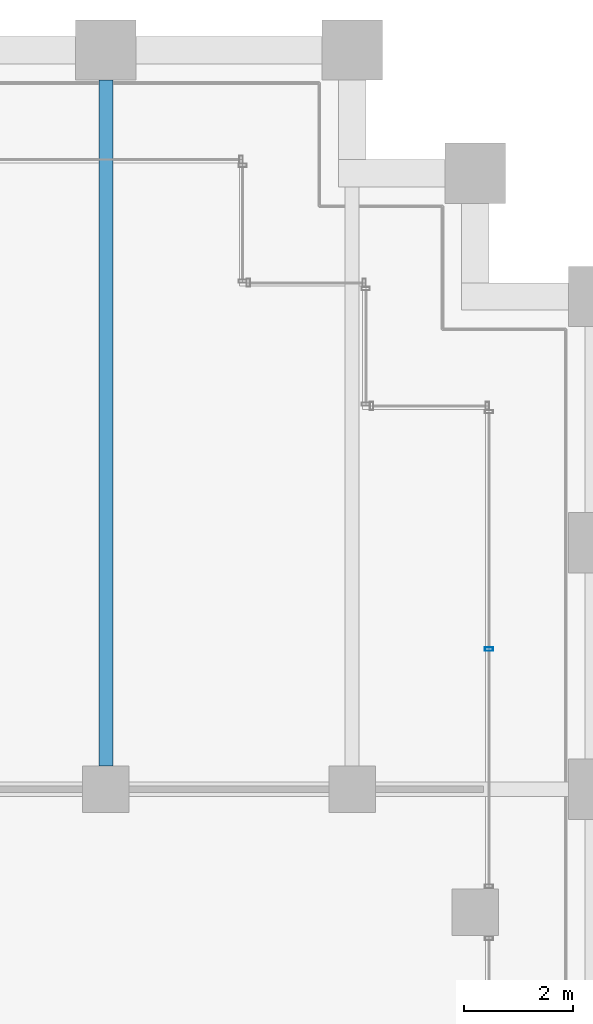
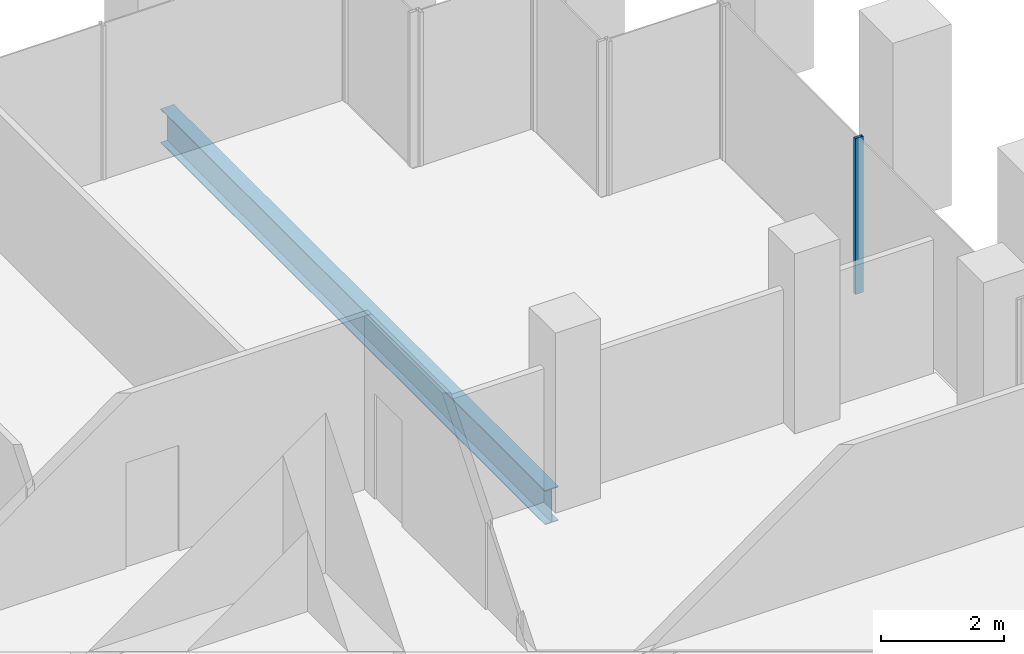
# One storey, part 30 of 56: 1 beam, 1 member, 1 element without a shape of its own.
"""IFC4 building model written with IfcOpenShell, lengths in metres."""

from ifc_helpers import new_model, si_unit, direction, frame, origin, origin_2d, place, context, subcontext, project, spatial, hollow_rectangle, i_section, extrude, material, material_profile, profile_set, type_object, element, aggregate, save


model = new_model("IFC4")

# Units and contexts
model_context = context("Model", 3, precision=1e-05, world=origin(), true_north=direction((0.0, 1.0)))
body_context = subcontext(model_context, "Body", "Model", "MODEL_VIEW")
ifc_project = project(units=[si_unit("LENGTHUNIT", "METRE"), si_unit("AREAUNIT", "SQUARE_METRE"), si_unit("VOLUMEUNIT", "CUBIC_METRE"), si_unit("PLANEANGLEUNIT", "RADIAN"), si_unit("MASSUNIT", "GRAM", prefix="KILO")], contexts=[model_context])

# Site, building, storey
site_placement = place(None, origin())
site = spatial("IfcSite", under=ifc_project, at=site_placement, CompositionType="ELEMENT")
building_placement = place(site_placement, origin())
building = spatial("IfcBuilding", under=site, at=building_placement, Name="Altepetl Exchange Towers", CompositionType="ELEMENT")
storey_placement = place(building_placement, frame((0.0, 0.0, 72.60009765625)))
storey = spatial("IfcBuildingStorey", under=building, at=storey_placement, Name="L17", CompositionType="ELEMENT", Elevation=72.60009765625)

# Beam
ifc_material_1 = material(Name="Steel S355", Category="steel")
ifc_material_profile_1 = material_profile(ifc_material_1, i_section(OverallWidth=0.25390625, OverallDepth=0.68408203125, WebThickness=0.012451171875, FlangeThickness=0.018798828125, at=origin_2d()), Name="W27X94")
ifc_profile_set_1 = profile_set([ifc_material_profile_1], Name="Steel S355")
beam_type = type_object("IfcBeamType", Name="Floor beam W27X94", PredefinedType="BEAM", material=ifc_profile_set_1)
beam_placement = place(storey_placement, frame((63.0, 58.925048828125, -0.4921875), z_axis=(0.0, 1.0, 0.0), x_axis=(-1.0, 0.0, 0.0)))
element("IfcBeam", 1, at=beam_placement, inside=storey, type_object=beam_type, Name="bm:A:L17:004", PredefinedType="BEAM", context=body_context, shape_type="SweptSolid", body=[
    extrude(i_section(OverallWidth=0.25390625, OverallDepth=0.68408203125, WebThickness=0.012451171875, FlangeThickness=0.018798828125, at=origin_2d()), origin(), (0.0, 0.0, 1.0), 12.52490234375),
])

# Curtain wall, member
ifc_material_2 = material(Name="Aluminium 6063-T6 glazing", Category="aluminium")
curtain_wall_type = type_object("IfcCurtainWallType", Name="Loggia glazing system", PredefinedType="NOTDEFINED", material=ifc_material_2)
curtain_wall_placement = place(storey_placement, origin())
curtain_wall = element("IfcCurtainWall", 2, at=curtain_wall_placement, inside=storey, type_object=curtain_wall_type, Name="CW1 run", PredefinedType="NOTDEFINED")
ifc_material_3 = material(Name="Aluminium 6063-T6", Category="aluminium")
ifc_material_profile_2 = material_profile(ifc_material_3, hollow_rectangle(XDim=0.06005859375, YDim=0.14990234375, WallThickness=0.0029296875, at=origin_2d()), Name="Mullion 60x150 aluminium")
ifc_profile_set_2 = profile_set([ifc_material_profile_2], Name="Aluminium 6063-T6")
member_type = type_object("IfcMemberType", Name="Mullion 60x150 aluminium", PredefinedType="MULLION", material=ifc_profile_set_2)
member_placement = place(storey_placement, frame((70.0, 61.06005859375, 0.0), z_axis=(0.0, 0.0, 1.0), x_axis=(0.0, 1.0, 0.0)))
member = element("IfcMember", 3, at=member_placement, type_object=member_type, Name="MU1 mullion", PredefinedType="MULLION", context=body_context, shape_type="SweptSolid", body=[
    extrude(hollow_rectangle(XDim=0.06005859375, YDim=0.14990234375, WallThickness=0.0029296875, at=origin_2d()), origin(), (0.0, 0.0, 1.0), 3.099853515625),
])
aggregate(curtain_wall, [member])

save(model, "model.ifc")
